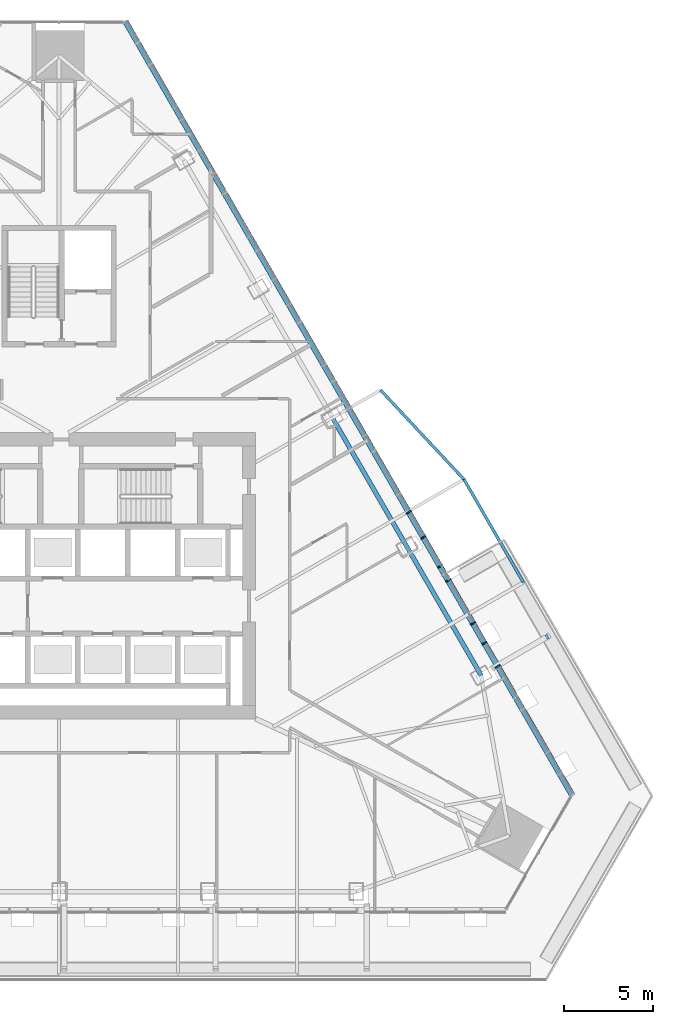
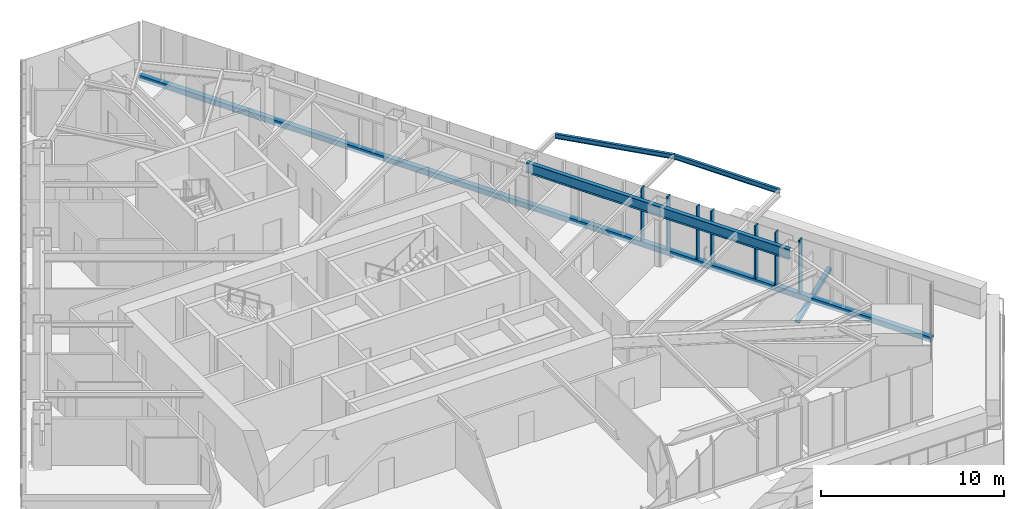
# One storey, part 6 of 21: 9 members, 3 beams, 1 element without a shape of its own.
"""IFC4 building model written with IfcOpenShell, lengths in metres."""

from ifc_helpers import new_model, si_unit, direction, frame, origin, origin_2d, place, context, subcontext, project, spatial, rectangle, hollow_rectangle, i_section, extrude, material, layer, layer_set, material_profile, profile_set, type_object, element, aggregate, save


model = new_model("IFC4")

# Units and contexts
model_context = context("Model", 3, precision=1e-05, world=origin(), true_north=direction((0.0, 1.0)))
body_context = subcontext(model_context, "Body", "Model", "MODEL_VIEW")
ifc_project = project(units=[si_unit("LENGTHUNIT", "METRE"), si_unit("AREAUNIT", "SQUARE_METRE"), si_unit("VOLUMEUNIT", "CUBIC_METRE"), si_unit("PLANEANGLEUNIT", "RADIAN"), si_unit("MASSUNIT", "GRAM", prefix="KILO")], contexts=[model_context])

# Site, building, storey
site_placement = place(None, origin())
site = spatial("IfcSite", under=ifc_project, at=site_placement, CompositionType="ELEMENT")
building_placement = place(site_placement, origin())
building = spatial("IfcBuilding", under=site, at=building_placement, Name="Firuza Gate Tower and Library", CompositionType="ELEMENT")
storey_placement = place(building_placement, frame((0.0, 0.0, 222.10009765625)))
storey = spatial("IfcBuildingStorey", under=building, at=storey_placement, Name="L52", CompositionType="ELEMENT", Elevation=222.10009765625)

# Curtain wall, members
ifc_material_1 = material(Name="Aluminium 6063-T6", Category="aluminium")
ifc_layer = layer(ifc_material_1, 0.14990234375)
ifc_layer_set = layer_set([ifc_layer], Name="Unitised curtain wall, hotel")
curtain_wall_type = type_object("IfcCurtainWallType", Name="Unitised curtain wall, hotel", PredefinedType="NOTDEFINED", material=ifc_layer_set)
curtain_wall_placement = place(storey_placement, origin())
curtain_wall = element("IfcCurtainWall", 1, at=curtain_wall_placement, inside=storey, type_object=curtain_wall_type, Name="CW2 L52 E face", PredefinedType="NOTDEFINED")
ifc_material_2 = material(Name="Aluminium 6063-T6", Category="aluminium")
ifc_material_profile_1 = material_profile(ifc_material_2, rectangle(XDim=0.320068359375, YDim=0.080078125, at=origin_2d()))
ifc_profile_set_1 = profile_set([ifc_material_profile_1], Name="Aluminium 6063-T6")
member_type_1 = type_object("IfcMemberType", Name="Curtain wall mullion 80x320", PredefinedType="MULLION", material=ifc_profile_set_1)
member_1_placement = place(storey_placement, frame((99.546875, 69.93017578125, 0.14990234375), z_axis=(0.0, 0.0, 1.0), x_axis=(-0.866025403784, -0.5, 0.0)))
member_1 = element("IfcMember", 2, at=member_1_placement, type_object=member_type_1, Name="Mullion", PredefinedType="MULLION", context=body_context, shape_type="SweptSolid", body=[
    extrude(rectangle(XDim=0.320068359375, YDim=0.080078125, at=origin_2d()), origin(), (0.0, 0.0, 1.0), 3.550048828125),
])
member_2_placement = place(storey_placement, frame((98.158203125, 72.33544921875, 0.14990234375), z_axis=(0.0, 0.0, 1.0), x_axis=(-0.866025403784, -0.5, 0.0)))
member_2 = element("IfcMember", 3, at=member_2_placement, type_object=member_type_1, Name="Mullion", PredefinedType="MULLION", context=body_context, shape_type="SweptSolid", body=[
    extrude(rectangle(XDim=0.320068359375, YDim=0.080078125, at=origin_2d()), origin(), (0.0, 0.0, 1.0), 3.550048828125),
])
member_3_placement = place(storey_placement, frame((96.76953125, 74.74072265625, 0.14990234375), z_axis=(0.0, 0.0, 1.0), x_axis=(-0.866025403784, -0.5, 0.0)))
member_3 = element("IfcMember", 4, at=member_3_placement, type_object=member_type_1, Name="Mullion", PredefinedType="MULLION", context=body_context, shape_type="SweptSolid", body=[
    extrude(rectangle(XDim=0.320068359375, YDim=0.080078125, at=origin_2d()), origin(), (0.0, 0.0, 1.0), 3.550048828125),
])
member_4_placement = place(storey_placement, frame((95.380859375, 77.14599609375, 0.14990234375), z_axis=(0.0, 0.0, 1.0), x_axis=(-0.866025403784, -0.5, 0.0)))
member_4 = element("IfcMember", 5, at=member_4_placement, type_object=member_type_1, Name="Mullion", PredefinedType="MULLION", context=body_context, shape_type="SweptSolid", body=[
    extrude(rectangle(XDim=0.320068359375, YDim=0.080078125, at=origin_2d()), origin(), (0.0, 0.0, 1.0), 3.550048828125),
])
member_5_placement = place(storey_placement, frame((98.794677734375, 71.2333984375, 0.14990234375), z_axis=(0.0, 0.0, 1.0), x_axis=(-0.866025403784, -0.5, 0.0)))
member_5 = element("IfcMember", 6, at=member_5_placement, type_object=member_type_1, Name="Mullion", PredefinedType="MULLION", context=body_context, shape_type="SweptSolid", body=[
    extrude(rectangle(XDim=0.320068359375, YDim=0.080078125, at=origin_2d()), origin(), (0.0, 0.0, 1.0), 3.550048828125),
])
member_6_placement = place(storey_placement, frame((96.31884765625, 75.521484375, 0.14990234375), z_axis=(0.0, 0.0, 1.0), x_axis=(-0.866025403784, -0.5, 0.0)))
member_6 = element("IfcMember", 7, at=member_6_placement, type_object=member_type_1, Name="Mullion", PredefinedType="MULLION", context=body_context, shape_type="SweptSolid", body=[
    extrude(rectangle(XDim=0.320068359375, YDim=0.080078125, at=origin_2d()), origin(), (0.0, 0.0, 1.0), 3.550048828125),
])
member_7_placement = place(storey_placement, frame((94.566650390625, 78.55615234375, 0.14990234375), z_axis=(0.0, 0.0, 1.0), x_axis=(-0.866025403784, -0.5, 0.0)))
member_7 = element("IfcMember", 8, at=member_7_placement, type_object=member_type_1, Name="Mullion", PredefinedType="MULLION", context=body_context, shape_type="SweptSolid", body=[
    extrude(rectangle(XDim=0.320068359375, YDim=0.080078125, at=origin_2d()), origin(), (0.0, 0.0, 1.0), 3.550048828125),
])
ifc_material_3 = material(Name="Aluminium 6063-T6", Category="aluminium")
ifc_material_profile_2 = material_profile(ifc_material_3, rectangle(XDim=0.320068359375, YDim=0.35009765625, at=origin_2d()))
ifc_profile_set_2 = profile_set([ifc_material_profile_2], Name="Aluminium 6063-T6")
member_type_2 = type_object("IfcMemberType", Name="Curtain wall transom 350x320", PredefinedType="USERDEFINED", material=ifc_profile_set_2)
member_8_placement = place(storey_placement, frame((103.712890625, 62.71435546875, -0.025146484375), z_axis=(-0.499998498353, 0.866026270759, 0.0), x_axis=(-0.866026270759, -0.499998498353, 0.0)))
member_8 = element("IfcMember", 9, at=member_8_placement, type_object=member_type_2, Name="Transom", ObjectType="TRANSOM", PredefinedType="USERDEFINED", context=body_context, shape_type="SweptSolid", body=[
    extrude(rectangle(XDim=0.320068359375, YDim=0.35009765625, at=origin_2d()), origin(), (0.0, 0.0, 1.0), 49.992431640625),
])
aggregate(curtain_wall, [member_1, member_2, member_3, member_4, member_8, member_5, member_6, member_7])

# Member
ifc_material_4 = material(Name="Steel S355", Category="steel")
ifc_material_profile_3 = material_profile(ifc_material_4, hollow_rectangle(XDim=0.25390625, YDim=0.25390625, WallThickness=0.01171875, at=origin_2d()))
ifc_profile_set_3 = profile_set([ifc_material_profile_3], Name="Steel S355")
member_type_3 = type_object("IfcMemberType", Name="HSS254x254x13 Tray strut", PredefinedType="BRACE", material=ifc_profile_set_3)
member_9_placement = place(storey_placement, frame((99.27294921875, 69.8330078125, -1.670166015625), z_axis=(0.807144487129, 0.465983580268, 0.362459763032), x_axis=(-0.499982693035, 0.866035395735, 0.0)))
element("IfcMember", 10, at=member_9_placement, inside=storey, type_object=member_type_3, Name="Tray strut L52 col:L51:E1", PredefinedType="BRACE", context=body_context, shape_type="SweptSolid", body=[
    extrude(hollow_rectangle(XDim=0.25390625, YDim=0.25390625, WallThickness=0.01171875, at=origin_2d()), origin(), (0.0, 0.0, 1.0), 3.86279296875),
])

# Beams
ifc_material_5 = material(Name="Steel S355", Category="steel")
ifc_material_profile_4 = material_profile(ifc_material_5, i_section(OverallWidth=0.1650390625, OverallDepth=0.31005859375, WebThickness=0.005859375, FlangeThickness=0.009765625, at=origin_2d()))
ifc_profile_set_4 = profile_set([ifc_material_profile_4], Name="Steel S355")
beam_type_1 = type_object("IfcBeamType", Name="W310x39 Floor beam", PredefinedType="JOIST", material=ifc_profile_set_4)
beam_1_placement = place(storey_placement, frame((100.97802734375, 74.631591796875, 3.544921875), z_axis=(-0.499994540199, 0.866028555979, 0.0), x_axis=(-0.866028555979, -0.499994540199, 0.0)))
element("IfcBeam", 11, at=beam_1_placement, inside=storey, type_object=beam_type_1, Name="Tray edge beam L52 s50-s51", PredefinedType="JOIST", context=body_context, shape_type="SweptSolid", body=[
    extrude(i_section(OverallWidth=0.1650390625, OverallDepth=0.31005859375, WebThickness=0.005859375, FlangeThickness=0.009765625, at=origin_2d()), origin(), (0.0, 0.0, 1.0), 6.65380859375),
])
beam_2_placement = place(storey_placement, frame((97.651123046875, 80.39404296875, 3.544921875), z_axis=(-0.682623833382, 0.730769937873, 0.0), x_axis=(-0.730769937873, -0.682623833382, 0.0)))
element("IfcBeam", 12, at=beam_2_placement, inside=storey, type_object=beam_type_1, Name="Tray edge beam L52 s51-s52", PredefinedType="JOIST", context=body_context, shape_type="SweptSolid", body=[
    extrude(i_section(OverallWidth=0.1650390625, OverallDepth=0.31005859375, WebThickness=0.005859375, FlangeThickness=0.009765625, at=origin_2d()), origin(), (0.0, 0.0, 1.0), 6.830322265625),
])
ifc_material_6 = material(Name="Steel S355", Category="steel")
ifc_material_profile_5 = material_profile(ifc_material_6, i_section(OverallWidth=0.2529296875, OverallDepth=0.677978515625, WebThickness=0.01171875, FlangeThickness=0.016357421875, at=origin_2d()))
ifc_profile_set_5 = profile_set([ifc_material_profile_5], Name="Steel S355")
beam_type_2 = type_object("IfcBeamType", Name="W690x125 Edge beam", PredefinedType="SPANDREL", material=ifc_profile_set_5)
beam_3_placement = place(storey_placement, frame((98.614501953125, 69.42529296875, 3.36083984375), z_axis=(-0.500001518599, 0.866024527019, 0.0), x_axis=(-0.866024527019, -0.500001518599, 0.0)))
element("IfcBeam", 13, at=beam_3_placement, inside=storey, type_object=beam_type_2, Name="Edge beam L52 e50", PredefinedType="SPANDREL", context=body_context, shape_type="SweptSolid", body=[
    extrude(i_section(OverallWidth=0.2529296875, OverallDepth=0.677978515625, WebThickness=0.01171875, FlangeThickness=0.016357421875, at=origin_2d()), origin(), (0.0, 0.0, 1.0), 16.63525390625),
])

save(model, "model.ifc")
